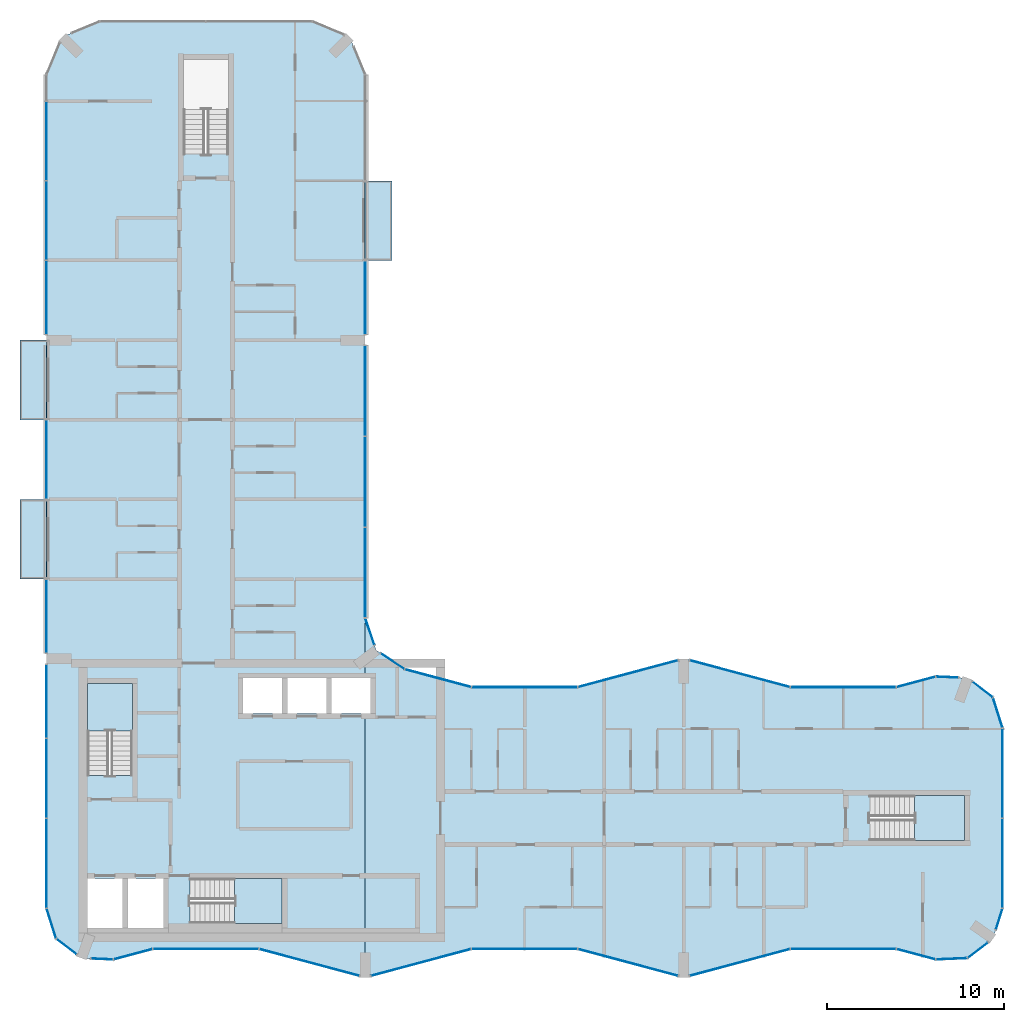
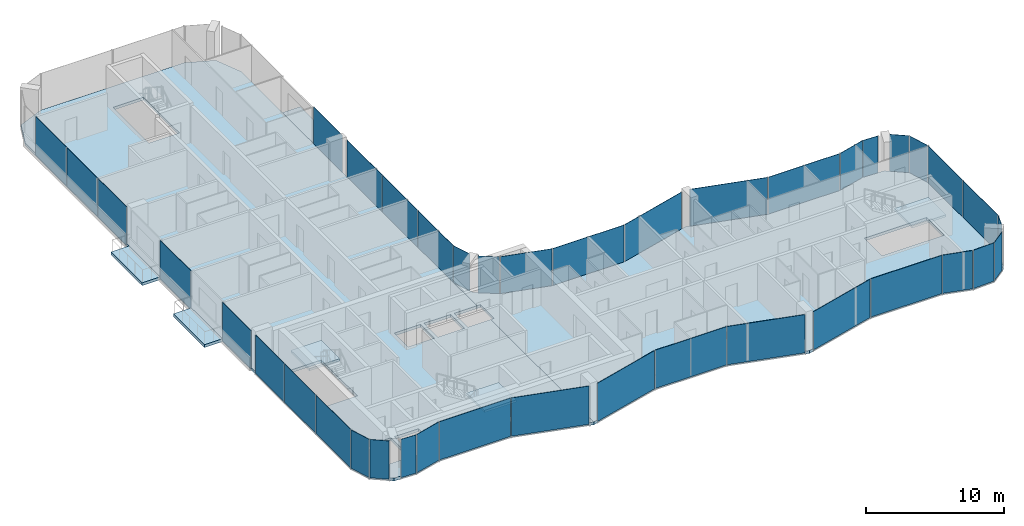
# One storey, part 8 of 16: 40 plates, 8 slabs, 36 elements without a shape of their own.
"""IFC4 building model written with IfcOpenShell, lengths in metres."""

from ifc_helpers import new_model, si_unit, direction, frame, origin, origin_2d, place, context, subcontext, project, spatial, polyline, rectangle, outline, extrude, material, layer, layer_set, type_object, element, aggregate, save


model = new_model("IFC4")

# Units and contexts
model_context = context("Model", 3, precision=1e-05, world=origin(), true_north=direction((0.0, 1.0)))
body_context = subcontext(model_context, "Body", "Model", "MODEL_VIEW")
ifc_project = project(units=[si_unit("LENGTHUNIT", "METRE"), si_unit("AREAUNIT", "SQUARE_METRE"), si_unit("VOLUMEUNIT", "CUBIC_METRE"), si_unit("PLANEANGLEUNIT", "RADIAN"), si_unit("MASSUNIT", "GRAM", prefix="KILO")], contexts=[model_context])

# Site, building, storey
site_placement = place(None, origin())
site = spatial("IfcSite", under=ifc_project, at=site_placement, CompositionType="ELEMENT")
building_placement = place(site_placement, origin())
building = spatial("IfcBuilding", under=site, at=building_placement, Name="Plateau Cross Towers", CompositionType="ELEMENT")
storey_placement = place(building_placement, frame((0.0, 0.0, 215.39990234375)))
storey = spatial("IfcBuildingStorey", under=building, at=storey_placement, Name="L56", CompositionType="ELEMENT", Elevation=215.39990234375)

# Slabs
ifc_material_1 = material(Name="Concrete C40/50", Category="concrete")
ifc_layer_1 = layer(ifc_material_1, 0.25)
ifc_layer_set_1 = layer_set([ifc_layer_1], Name="Concrete C40/50")
slab_type_1 = type_object("IfcSlabType", Name="Balcony slab 250", PredefinedType="FLOOR", material=ifc_layer_set_1)
slab_1_placement = place(storey_placement, frame((0.0, 0.0, -0.25)))
element("IfcSlab", 1, at=slab_1_placement, inside=storey, type_object=slab_type_1, Name="Balcony slab A-BAL-L56-01", PredefinedType="FLOOR", context=body_context, shape_type="SweptSolid", body=[
    extrude(outline(polyline([(0.0, 22.5), (0.0, 27.0), (-1.5, 27.0), (-1.5, 22.5), (0.0, 22.5)])), origin(), (0.0, 0.0, 1.0), 0.25),
])
slab_2_placement = place(storey_placement, frame((0.0, 0.0, -0.25)))
element("IfcSlab", 2, at=slab_2_placement, inside=storey, type_object=slab_type_1, Name="Balcony slab A-BAL-L56-02", PredefinedType="FLOOR", context=body_context, shape_type="SweptSolid", body=[
    extrude(outline(polyline([(0.0, 31.5), (0.0, 36.0), (-1.5, 36.0), (-1.5, 31.5), (0.0, 31.5)])), origin(), (0.0, 0.0, 1.0), 0.25),
])
slab_3_placement = place(storey_placement, frame((0.0, 0.0, -0.25)))
element("IfcSlab", 3, at=slab_3_placement, inside=storey, type_object=slab_type_1, Name="Balcony slab A-BAL-L56-03", PredefinedType="FLOOR", context=body_context, shape_type="SweptSolid", body=[
    extrude(outline(polyline([(19.5, 40.5), (19.5, 45.0), (18.0, 45.0), (18.0, 40.5), (19.5, 40.5)])), origin(), (0.0, 0.0, 1.0), 0.25),
])

# Curtain wall, plate
ifc_material_2 = material(Name="Dark low-iron glass", Category="glass")
ifc_layer_2 = layer(ifc_material_2, 0.239990234375)
ifc_layer_set_2 = layer_set([ifc_layer_2], Name="Dark low-iron glass")
curtain_wall_type_1 = type_object("IfcCurtainWallType", Name="Curtain wall flush unitised CW-B", PredefinedType="NOTDEFINED", material=ifc_layer_set_2)
curtain_wall_1_placement = place(storey_placement, origin())
curtain_wall_1 = element("IfcCurtainWall", 4, at=curtain_wall_1_placement, inside=storey, type_object=curtain_wall_type_1, Name="ENV/A/L56/A502_10", PredefinedType="NOTDEFINED")
ifc_layer_3 = layer(ifc_material_2, 0.031982421875)
ifc_layer_set_3 = layer_set([ifc_layer_3], Name="Dark low-iron glass")
plate_type_1 = type_object("IfcPlateType", Name="Glass panel 32 flush unitised", PredefinedType="CURTAIN_PANEL", material=ifc_layer_set_3)
plate_1_placement = place(storey_placement, frame((51.125, 1.05078125, -0.1298828125), z_axis=(0.0, 0.0, 1.0), x_axis=(0.999043701491, 0.043722791671, 0.0)))
plate_1 = element("IfcPlate", 5, at=plate_1_placement, type_object=plate_type_1, Name="CW-B panel 1", PredefinedType="CURTAIN_PANEL", context=body_context, shape_type="SweptSolid", body=[
    extrude(rectangle(XDim=1.744140625, YDim=0.031982421875, at=origin_2d()), origin(), (0.0, 0.0, 1.0), 3.3798828125),
])
aggregate(curtain_wall_1, [plate_1])

curtain_wall_2_placement = place(storey_placement, origin())
curtain_wall_2 = element("IfcCurtainWall", 6, at=curtain_wall_2_placement, inside=storey, type_object=curtain_wall_type_1, Name="ENV/A/L56/A520_11", PredefinedType="NOTDEFINED")
plate_2_placement = place(storey_placement, frame((52.60986328125, 1.5380859375, -0.1298828125), z_axis=(0.0, 0.0, 1.0), x_axis=(0.793315514529, 0.608810721331, 0.0)))
plate_2 = element("IfcPlate", 7, at=plate_2_placement, type_object=plate_type_1, Name="CW-B panel 1", PredefinedType="CURTAIN_PANEL", context=body_context, shape_type="SweptSolid", body=[
    extrude(rectangle(XDim=1.41162109375, YDim=0.031982421875, at=origin_2d()), origin(), (0.0, 0.0, 1.0), 3.3798828125),
])
aggregate(curtain_wall_2, [plate_2])

curtain_wall_3_placement = place(storey_placement, origin())
curtain_wall_3 = element("IfcCurtainWall", 8, at=curtain_wall_3_placement, inside=storey, type_object=curtain_wall_type_1, Name="ENV/A/L56/A536_27", PredefinedType="NOTDEFINED")
plate_3_placement = place(storey_placement, frame((53.805419921875, 3.292236328125, -0.1298828125), z_axis=(0.0, 0.0, 1.0), x_axis=(0.300686174994, 0.95372313811, 0.0)))
plate_3 = element("IfcPlate", 9, at=plate_3_placement, type_object=plate_type_1, Name="CW-B panel 1", PredefinedType="CURTAIN_PANEL", context=body_context, shape_type="SweptSolid", body=[
    extrude(rectangle(XDim=1.233642578125, YDim=0.031982421875, at=origin_2d()), origin(), (0.0, 0.0, 1.0), 3.3798828125),
])
aggregate(curtain_wall_3, [plate_3])

# Curtain wall, plates
curtain_wall_4_placement = place(storey_placement, origin())
curtain_wall_4 = element("IfcCurtainWall", 10, at=curtain_wall_4_placement, inside=storey, type_object=curtain_wall_type_1, Name="ENV/A/L56/A540_39", PredefinedType="NOTDEFINED")
plate_4_placement = place(storey_placement, frame((54.0, 6.45458984375, -0.1298828125), z_axis=(0.0, 0.0, 1.0), x_axis=(0.0, 1.0, 0.0)))
plate_4 = element("IfcPlate", 11, at=plate_4_placement, type_object=plate_type_1, Name="CW-B panel 1", PredefinedType="CURTAIN_PANEL", context=body_context, shape_type="SweptSolid", body=[
    extrude(rectangle(XDim=5.03076171875, YDim=0.031982421875, at=origin_2d()), origin(), (0.0, 0.0, 1.0), 3.3798828125),
])
plate_5_placement = place(storey_placement, frame((54.0, 11.54541015625, -0.1298828125), z_axis=(0.0, 0.0, 1.0), x_axis=(0.0, 1.0, 0.0)))
plate_5 = element("IfcPlate", 12, at=plate_5_placement, type_object=plate_type_1, Name="CW-B panel 2", PredefinedType="CURTAIN_PANEL", context=body_context, shape_type="SweptSolid", body=[
    extrude(rectangle(XDim=5.03076171875, YDim=0.031982421875, at=origin_2d()), origin(), (0.0, 0.0, 1.0), 3.3798828125),
])
aggregate(curtain_wall_4, [plate_4, plate_5])

# Curtain wall, plate
curtain_wall_5_placement = place(storey_placement, origin())
curtain_wall_5 = element("IfcCurtainWall", 13, at=curtain_wall_5_placement, inside=storey, type_object=curtain_wall_type_1, Name="ENV/A/L56/A540_141", PredefinedType="NOTDEFINED")
plate_6_placement = place(storey_placement, frame((53.728759765625, 14.951171875, -0.1298828125), z_axis=(0.0, 0.0, 1.0), x_axis=(-0.300686174994, 0.95372313811, 0.0)))
plate_6 = element("IfcPlate", 14, at=plate_6_placement, type_object=plate_type_1, Name="CW-B panel 1", PredefinedType="CURTAIN_PANEL", context=body_context, shape_type="SweptSolid", body=[
    extrude(rectangle(XDim=1.744140625, YDim=0.031982421875, at=origin_2d()), origin(), (0.0, 0.0, 1.0), 3.3798828125),
])
aggregate(curtain_wall_5, [plate_6])

curtain_wall_6_placement = place(storey_placement, origin())
curtain_wall_6 = element("IfcCurtainWall", 15, at=curtain_wall_6_placement, inside=storey, type_object=curtain_wall_type_1, Name="ENV/A/L56/A535_158", PredefinedType="NOTDEFINED")
plate_7_placement = place(storey_placement, frame((52.873779296875, 16.25927734375, -0.1298828125), z_axis=(0.0, 0.0, 1.0), x_axis=(-0.793315514529, 0.608810721331, 0.0)))
plate_7 = element("IfcPlate", 16, at=plate_7_placement, type_object=plate_type_1, Name="CW-B panel 1", PredefinedType="CURTAIN_PANEL", context=body_context, shape_type="SweptSolid", body=[
    extrude(rectangle(XDim=1.41162109375, YDim=0.031982421875, at=origin_2d()), origin(), (0.0, 0.0, 1.0), 3.3798828125),
])
aggregate(curtain_wall_6, [plate_7])

curtain_wall_7_placement = place(storey_placement, origin())
curtain_wall_7 = element("IfcCurtainWall", 17, at=curtain_wall_7_placement, inside=storey, type_object=curtain_wall_type_1, Name="ENV/A/L56/A515_169", PredefinedType="NOTDEFINED")
plate_8_placement = place(storey_placement, frame((50.8701171875, 16.96044921875, -0.1298828125), z_axis=(0.0, 0.0, 1.0), x_axis=(-0.999043701491, 0.043722791671, 0.0)))
plate_8 = element("IfcPlate", 18, at=plate_8_placement, type_object=plate_type_1, Name="CW-B panel 1", PredefinedType="CURTAIN_PANEL", context=body_context, shape_type="SweptSolid", body=[
    extrude(rectangle(XDim=1.233642578125, YDim=0.031982421875, at=origin_2d()), origin(), (0.0, 0.0, 1.0), 3.3798828125),
])
aggregate(curtain_wall_7, [plate_8])

curtain_wall_8_placement = place(storey_placement, origin())
curtain_wall_8 = element("IfcCurtainWall", 19, at=curtain_wall_8_placement, inside=storey, type_object=curtain_wall_type_1, Name="ENV/A/L56/A202_174", PredefinedType="NOTDEFINED")
plate_9_placement = place(storey_placement, frame((19.546630859375, 17.856689453125, -0.1298828125), z_axis=(0.0, 0.0, 1.0), x_axis=(-0.831521253329, 0.555492938984, 0.0)))
plate_9 = element("IfcPlate", 20, at=plate_9_placement, type_object=plate_type_1, Name="CW-B panel 1", PredefinedType="CURTAIN_PANEL", context=body_context, shape_type="SweptSolid", body=[
    extrude(rectangle(XDim=1.56884765625, YDim=0.031982421875, at=origin_2d()), origin(), (0.0, 0.0, 1.0), 3.3798828125),
])
aggregate(curtain_wall_8, [plate_9])

curtain_wall_9_placement = place(storey_placement, origin())
curtain_wall_9 = element("IfcCurtainWall", 21, at=curtain_wall_9_placement, inside=storey, type_object=curtain_wall_type_1, Name="ENV/A/L56/A185_188", PredefinedType="NOTDEFINED")
plate_10_placement = place(storey_placement, frame((18.26171875, 19.531005859375, -0.1298828125), z_axis=(0.0, 0.0, 1.0), x_axis=(-0.321469161574, 0.94692004845, 0.0)))
plate_10 = element("IfcPlate", 22, at=plate_10_placement, type_object=plate_type_1, Name="CW-B panel 1", PredefinedType="CURTAIN_PANEL", context=body_context, shape_type="SweptSolid", body=[
    extrude(rectangle(XDim=1.56884765625, YDim=0.031982421875, at=origin_2d()), origin(), (0.0, 0.0, 1.0), 3.3798828125),
])
aggregate(curtain_wall_9, [plate_10])

# Curtain wall, plates
curtain_wall_10_placement = place(storey_placement, origin())
curtain_wall_10 = element("IfcCurtainWall", 23, at=curtain_wall_10_placement, inside=storey, type_object=curtain_wall_type_1, Name="ENV/A/L56/A180_203", PredefinedType="NOTDEFINED")
plate_11_placement = place(storey_placement, frame((18.0, 22.86865234375, -0.1298828125), z_axis=(0.0, 0.0, 1.0), x_axis=(0.0, 1.0, 0.0)))
plate_11 = element("IfcPlate", 24, at=plate_11_placement, type_object=plate_type_1, Name="CW-B panel 1", PredefinedType="CURTAIN_PANEL", context=body_context, shape_type="SweptSolid", body=[
    extrude(rectangle(XDim=5.072509765625, YDim=0.031982421875, at=origin_2d()), origin(), (0.0, 0.0, 1.0), 3.3798828125),
])
plate_12_placement = place(storey_placement, frame((18.0, 28.001220703125, -0.1298828125), z_axis=(0.0, 0.0, 1.0), x_axis=(0.0, 1.0, 0.0)))
plate_12 = element("IfcPlate", 25, at=plate_12_placement, type_object=plate_type_1, Name="CW-B panel 2", PredefinedType="CURTAIN_PANEL", context=body_context, shape_type="SweptSolid", body=[
    extrude(rectangle(XDim=5.072509765625, YDim=0.031982421875, at=origin_2d()), origin(), (0.0, 0.0, 1.0), 3.3798828125),
])
plate_13_placement = place(storey_placement, frame((18.0, 33.1337890625, -0.1298828125), z_axis=(0.0, 0.0, 1.0), x_axis=(0.0, 1.0, 0.0)))
plate_13 = element("IfcPlate", 26, at=plate_13_placement, type_object=plate_type_1, Name="CW-B panel 3", PredefinedType="CURTAIN_PANEL", context=body_context, shape_type="SweptSolid", body=[
    extrude(rectangle(XDim=5.072509765625, YDim=0.031982421875, at=origin_2d()), origin(), (0.0, 0.0, 1.0), 3.3798828125),
])
aggregate(curtain_wall_10, [plate_11, plate_12, plate_13])

# Curtain wall, plate
curtain_wall_11_placement = place(storey_placement, origin())
curtain_wall_11 = element("IfcCurtainWall", 27, at=curtain_wall_11_placement, inside=storey, type_object=curtain_wall_type_1, Name="ENV/A/L56/A180_363", PredefinedType="NOTDEFINED")
plate_14_placement = place(storey_placement, frame((18.0, 38.39501953125, -0.1298828125), z_axis=(0.0, 0.0, 1.0), x_axis=(0.0, 1.0, 0.0)))
plate_14 = element("IfcPlate", 28, at=plate_14_placement, type_object=plate_type_1, Name="CW-B panel 1", PredefinedType="CURTAIN_PANEL", context=body_context, shape_type="SweptSolid", body=[
    extrude(rectangle(XDim=4.1298828125, YDim=0.031982421875, at=origin_2d()), origin(), (0.0, 0.0, 1.0), 3.3798828125),
])
aggregate(curtain_wall_11, [plate_14])

# Curtain wall, plates
curtain_wall_12_placement = place(storey_placement, origin())
curtain_wall_12 = element("IfcCurtainWall", 29, at=curtain_wall_12_placement, inside=storey, type_object=curtain_wall_type_1, Name="ENV/A/L56/A0_510", PredefinedType="NOTDEFINED")
plate_15_placement = place(storey_placement, frame((0.0, 47.25, -0.1298828125), z_axis=(0.0, 0.0, 1.0), x_axis=(0.0, -1.0, 0.0)))
plate_15 = element("IfcPlate", 30, at=plate_15_placement, type_object=plate_type_1, Name="CW-B panel 2", PredefinedType="CURTAIN_PANEL", context=body_context, shape_type="SweptSolid", body=[
    extrude(rectangle(XDim=4.43994140625, YDim=0.031982421875, at=origin_2d()), origin(), (0.0, 0.0, 1.0), 3.3798828125),
])
plate_16_placement = place(storey_placement, frame((0.0, 42.75, -0.1298828125), z_axis=(0.0, 0.0, 1.0), x_axis=(0.0, -1.0, 0.0)))
plate_16 = element("IfcPlate", 31, at=plate_16_placement, type_object=plate_type_1, Name="CW-B panel 3", PredefinedType="CURTAIN_PANEL", context=body_context, shape_type="SweptSolid", body=[
    extrude(rectangle(XDim=4.43994140625, YDim=0.031982421875, at=origin_2d()), origin(), (0.0, 0.0, 1.0), 3.3798828125),
])
plate_17_placement = place(storey_placement, frame((0.0, 38.39990234375, -0.1298828125), z_axis=(0.0, 0.0, 1.0), x_axis=(0.0, -1.0, 0.0)))
plate_17 = element("IfcPlate", 32, at=plate_17_placement, type_object=plate_type_1, Name="CW-B panel 4", PredefinedType="CURTAIN_PANEL", context=body_context, shape_type="SweptSolid", body=[
    extrude(rectangle(XDim=4.139892578125, YDim=0.031982421875, at=origin_2d()), origin(), (0.0, 0.0, 1.0), 3.3798828125),
])
aggregate(curtain_wall_12, [plate_15, plate_16, plate_17])

# Curtain wall, plate
curtain_wall_13_placement = place(storey_placement, origin())
curtain_wall_13 = element("IfcCurtainWall", 33, at=curtain_wall_13_placement, inside=storey, type_object=curtain_wall_type_1, Name="ENV/A/L56/A0_315", PredefinedType="NOTDEFINED")
plate_18_placement = place(storey_placement, frame((0.0, 29.25, -0.1298828125), z_axis=(0.0, 0.0, 1.0), x_axis=(0.0, -1.0, 0.0)))
plate_18 = element("IfcPlate", 34, at=plate_18_placement, type_object=plate_type_1, Name="CW-B panel 1", PredefinedType="CURTAIN_PANEL", context=body_context, shape_type="SweptSolid", body=[
    extrude(rectangle(XDim=4.419921875, YDim=0.031982421875, at=origin_2d()), origin(), (0.0, 0.0, 1.0), 3.3798828125),
])
aggregate(curtain_wall_13, [plate_18])

curtain_wall_14_placement = place(storey_placement, origin())
curtain_wall_14 = element("IfcCurtainWall", 35, at=curtain_wall_14_placement, inside=storey, type_object=curtain_wall_type_1, Name="ENV/A/L56/A0_225", PredefinedType="NOTDEFINED")
plate_19_placement = place(storey_placement, frame((0.0, 20.39501953125, -0.1298828125), z_axis=(0.0, 0.0, 1.0), x_axis=(0.0, -1.0, 0.0)))
plate_19 = element("IfcPlate", 36, at=plate_19_placement, type_object=plate_type_1, Name="CW-B panel 1", PredefinedType="CURTAIN_PANEL", context=body_context, shape_type="SweptSolid", body=[
    extrude(rectangle(XDim=4.1298828125, YDim=0.031982421875, at=origin_2d()), origin(), (0.0, 0.0, 1.0), 3.3798828125),
])
aggregate(curtain_wall_14, [plate_19])

# Curtain wall, plates
curtain_wall_15_placement = place(storey_placement, origin())
curtain_wall_15 = element("IfcCurtainWall", 37, at=curtain_wall_15_placement, inside=storey, type_object=curtain_wall_type_1, Name="ENV/A/L56/A0_177", PredefinedType="NOTDEFINED")
plate_20_placement = place(storey_placement, frame((0.0, 15.60009765625, -0.1298828125), z_axis=(0.0, 0.0, 1.0), x_axis=(0.0, -1.0, 0.0)))
plate_20 = element("IfcPlate", 38, at=plate_20_placement, type_object=plate_type_1, Name="CW-B panel 1", PredefinedType="CURTAIN_PANEL", context=body_context, shape_type="SweptSolid", body=[
    extrude(rectangle(XDim=4.139892578125, YDim=0.031982421875, at=origin_2d()), origin(), (0.0, 0.0, 1.0), 3.3798828125),
])
plate_21_placement = place(storey_placement, frame((0.0, 11.25, -0.1298828125), z_axis=(0.0, 0.0, 1.0), x_axis=(0.0, -1.0, 0.0)))
plate_21 = element("IfcPlate", 39, at=plate_21_placement, type_object=plate_type_1, Name="CW-B panel 2", PredefinedType="CURTAIN_PANEL", context=body_context, shape_type="SweptSolid", body=[
    extrude(rectangle(XDim=4.43994140625, YDim=0.031982421875, at=origin_2d()), origin(), (0.0, 0.0, 1.0), 3.3798828125),
])
plate_22_placement = place(storey_placement, frame((0.0, 6.45458984375, -0.1298828125), z_axis=(0.0, 0.0, 1.0), x_axis=(0.0, -1.0, 0.0)))
plate_22 = element("IfcPlate", 40, at=plate_22_placement, type_object=plate_type_1, Name="CW-B panel 3", PredefinedType="CURTAIN_PANEL", context=body_context, shape_type="SweptSolid", body=[
    extrude(rectangle(XDim=5.03076171875, YDim=0.031982421875, at=origin_2d()), origin(), (0.0, 0.0, 1.0), 3.3798828125),
])
aggregate(curtain_wall_15, [plate_20, plate_21, plate_22])

# Curtain wall, plate
curtain_wall_16_placement = place(storey_placement, origin())
curtain_wall_16 = element("IfcCurtainWall", 41, at=curtain_wall_16_placement, inside=storey, type_object=curtain_wall_type_1, Name="ENV/A/L56/A0_39", PredefinedType="NOTDEFINED")
plate_23_placement = place(storey_placement, frame((0.271240234375, 3.048828125, -0.1298828125), z_axis=(0.0, 0.0, 1.0), x_axis=(0.300686174994, -0.95372313811, 0.0)))
plate_23 = element("IfcPlate", 42, at=plate_23_placement, type_object=plate_type_1, Name="CW-B panel 1", PredefinedType="CURTAIN_PANEL", context=body_context, shape_type="SweptSolid", body=[
    extrude(rectangle(XDim=1.744140625, YDim=0.031982421875, at=origin_2d()), origin(), (0.0, 0.0, 1.0), 3.3798828125),
])
aggregate(curtain_wall_16, [plate_23])

curtain_wall_17_placement = place(storey_placement, origin())
curtain_wall_17 = element("IfcCurtainWall", 43, at=curtain_wall_17_placement, inside=storey, type_object=curtain_wall_type_1, Name="ENV/A/L56/A5_22", PredefinedType="NOTDEFINED")
plate_24_placement = place(storey_placement, frame((1.126220703125, 1.74072265625, -0.1298828125), z_axis=(0.0, 0.0, 1.0), x_axis=(0.793315514529, -0.608810721331, 0.0)))
plate_24 = element("IfcPlate", 44, at=plate_24_placement, type_object=plate_type_1, Name="CW-B panel 1", PredefinedType="CURTAIN_PANEL", context=body_context, shape_type="SweptSolid", body=[
    extrude(rectangle(XDim=1.41162109375, YDim=0.031982421875, at=origin_2d()), origin(), (0.0, 0.0, 1.0), 3.3798828125),
])
aggregate(curtain_wall_17, [plate_24])

curtain_wall_18_placement = place(storey_placement, origin())
curtain_wall_18 = element("IfcCurtainWall", 45, at=curtain_wall_18_placement, inside=storey, type_object=curtain_wall_type_1, Name="ENV/A/L56/A25_11", PredefinedType="NOTDEFINED")
plate_25_placement = place(storey_placement, frame((3.1298828125, 1.03955078125, -0.1298828125), z_axis=(0.0, 0.0, 1.0), x_axis=(0.999043701491, -0.043722791671, 0.0)))
plate_25 = element("IfcPlate", 46, at=plate_25_placement, type_object=plate_type_1, Name="CW-B panel 1", PredefinedType="CURTAIN_PANEL", context=body_context, shape_type="SweptSolid", body=[
    extrude(rectangle(XDim=1.233642578125, YDim=0.031982421875, at=origin_2d()), origin(), (0.0, 0.0, 1.0), 3.3798828125),
])
aggregate(curtain_wall_18, [plate_25])

ifc_layer_4 = layer(ifc_material_2, 0.260009765625)
ifc_layer_set_4 = layer_set([ifc_layer_4], Name="Dark low-iron glass")
curtain_wall_type_2 = type_object("IfcCurtainWallType", Name="Curtain wall fluted unitised CW-A", PredefinedType="NOTDEFINED", material=ifc_layer_set_4)
curtain_wall_19_placement = place(storey_placement, origin())
curtain_wall_19 = element("IfcCurtainWall", 47, at=curtain_wall_19_placement, inside=storey, type_object=curtain_wall_type_2, Name="ENV/A/L56/A38_10", PredefinedType="NOTDEFINED")
ifc_layer_5 = layer(ifc_material_2, 0.035888671875)
ifc_layer_set_5 = layer_set([ifc_layer_5], Name="Dark low-iron glass")
plate_type_2 = type_object("IfcPlateType", Name="Glass panel 36 fluted unitised", PredefinedType="CURTAIN_PANEL", material=ifc_layer_set_5)
plate_26_placement = place(storey_placement, frame((4.887939453125, 1.30908203125, -0.1298828125), z_axis=(0.0, 0.0, 1.0), x_axis=(0.965957962328, 0.258699081978, 0.0)))
plate_26 = element("IfcPlate", 48, at=plate_26_placement, type_object=plate_type_2, Name="CW-A panel 1", PredefinedType="CURTAIN_PANEL", context=body_context, shape_type="SweptSolid", body=[
    extrude(rectangle(XDim=2.2421875, YDim=0.035888671875, at=origin_2d()), origin(), (0.0, 0.0, 1.0), 3.3798828125),
])
aggregate(curtain_wall_19, [plate_26])

curtain_wall_20_placement = place(storey_placement, origin())
curtain_wall_20 = element("IfcCurtainWall", 49, at=curtain_wall_20_placement, inside=storey, type_object=curtain_wall_type_2, Name="ENV/A/L56/A60_16", PredefinedType="NOTDEFINED")
plate_27_placement = place(storey_placement, frame((9.0, 1.60693359375, -0.1298828125), z_axis=(0.0, 0.0, 1.0), x_axis=(1.0, 0.0, 0.0)))
plate_27 = element("IfcPlate", 50, at=plate_27_placement, type_object=plate_type_2, Name="CW-A panel 1", PredefinedType="CURTAIN_PANEL", context=body_context, shape_type="SweptSolid", body=[
    extrude(rectangle(XDim=5.93994140625, YDim=0.035888671875, at=origin_2d()), origin(), (0.0, 0.0, 1.0), 3.3798828125),
])
aggregate(curtain_wall_20, [plate_27])

curtain_wall_21_placement = place(storey_placement, origin())
curtain_wall_21 = element("IfcCurtainWall", 51, at=curtain_wall_21_placement, inside=storey, type_object=curtain_wall_type_2, Name="ENV/A/L56/A120_16", PredefinedType="NOTDEFINED")
plate_28_placement = place(storey_placement, frame((14.841064453125, 0.845947265625, -0.1298828125), z_axis=(0.0, 0.0, 1.0), x_axis=(0.965957983404, -0.258699003279, 0.0)))
plate_28 = element("IfcPlate", 52, at=plate_28_placement, type_object=plate_type_2, Name="CW-A panel 1", PredefinedType="CURTAIN_PANEL", context=body_context, shape_type="SweptSolid", body=[
    extrude(rectangle(XDim=5.822265625, YDim=0.035888671875, at=origin_2d()), origin(), (0.0, 0.0, 1.0), 3.3798828125),
])
aggregate(curtain_wall_21, [plate_28])

curtain_wall_22_placement = place(storey_placement, origin())
curtain_wall_22 = element("IfcCurtainWall", 53, at=curtain_wall_22_placement, inside=storey, type_object=curtain_wall_type_2, Name="ENV/A/L56/A183_1", PredefinedType="NOTDEFINED")
plate_29_placement = place(storey_placement, frame((21.158935546875, 0.845947265625, -0.1298828125), z_axis=(0.0, 0.0, 1.0), x_axis=(0.965957983404, 0.258699003279, 0.0)))
plate_29 = element("IfcPlate", 54, at=plate_29_placement, type_object=plate_type_2, Name="CW-A panel 1", PredefinedType="CURTAIN_PANEL", context=body_context, shape_type="SweptSolid", body=[
    extrude(rectangle(XDim=5.822265625, YDim=0.035888671875, at=origin_2d()), origin(), (0.0, 0.0, 1.0), 3.3798828125),
])
aggregate(curtain_wall_22, [plate_29])

curtain_wall_23_placement = place(storey_placement, origin())
curtain_wall_23 = element("IfcCurtainWall", 55, at=curtain_wall_23_placement, inside=storey, type_object=curtain_wall_type_2, Name="ENV/A/L56/A240_16", PredefinedType="NOTDEFINED")
plate_30_placement = place(storey_placement, frame((27.0, 1.60693359375, -0.1298828125), z_axis=(0.0, 0.0, 1.0), x_axis=(1.0, 0.0, 0.0)))
plate_30 = element("IfcPlate", 56, at=plate_30_placement, type_object=plate_type_2, Name="CW-A panel 1", PredefinedType="CURTAIN_PANEL", context=body_context, shape_type="SweptSolid", body=[
    extrude(rectangle(XDim=5.93994140625, YDim=0.035888671875, at=origin_2d()), origin(), (0.0, 0.0, 1.0), 3.3798828125),
])
aggregate(curtain_wall_23, [plate_30])

curtain_wall_24_placement = place(storey_placement, origin())
curtain_wall_24 = element("IfcCurtainWall", 57, at=curtain_wall_24_placement, inside=storey, type_object=curtain_wall_type_2, Name="ENV/A/L56/A300_16", PredefinedType="NOTDEFINED")
plate_31_placement = place(storey_placement, frame((32.841064453125, 0.845947265625, -0.1298828125), z_axis=(0.0, 0.0, 1.0), x_axis=(0.965957983404, -0.258699003279, 0.0)))
plate_31 = element("IfcPlate", 58, at=plate_31_placement, type_object=plate_type_2, Name="CW-A panel 1", PredefinedType="CURTAIN_PANEL", context=body_context, shape_type="SweptSolid", body=[
    extrude(rectangle(XDim=5.822265625, YDim=0.035888671875, at=origin_2d()), origin(), (0.0, 0.0, 1.0), 3.3798828125),
])
aggregate(curtain_wall_24, [plate_31])

curtain_wall_25_placement = place(storey_placement, origin())
curtain_wall_25 = element("IfcCurtainWall", 59, at=curtain_wall_25_placement, inside=storey, type_object=curtain_wall_type_2, Name="ENV/A/L56/A363_1", PredefinedType="NOTDEFINED")
plate_32_placement = place(storey_placement, frame((39.158935546875, 0.845947265625, -0.1298828125), z_axis=(0.0, 0.0, 1.0), x_axis=(0.965957983404, 0.258699003279, 0.0)))
plate_32 = element("IfcPlate", 60, at=plate_32_placement, type_object=plate_type_2, Name="CW-A panel 1", PredefinedType="CURTAIN_PANEL", context=body_context, shape_type="SweptSolid", body=[
    extrude(rectangle(XDim=5.822265625, YDim=0.035888671875, at=origin_2d()), origin(), (0.0, 0.0, 1.0), 3.3798828125),
])
aggregate(curtain_wall_25, [plate_32])

curtain_wall_26_placement = place(storey_placement, origin())
curtain_wall_26 = element("IfcCurtainWall", 61, at=curtain_wall_26_placement, inside=storey, type_object=curtain_wall_type_2, Name="ENV/A/L56/A420_16", PredefinedType="NOTDEFINED")
plate_33_placement = place(storey_placement, frame((45.0, 1.60693359375, -0.1298828125), z_axis=(0.0, 0.0, 1.0), x_axis=(1.0, 0.0, 0.0)))
plate_33 = element("IfcPlate", 62, at=plate_33_placement, type_object=plate_type_2, Name="CW-A panel 1", PredefinedType="CURTAIN_PANEL", context=body_context, shape_type="SweptSolid", body=[
    extrude(rectangle(XDim=5.93994140625, YDim=0.035888671875, at=origin_2d()), origin(), (0.0, 0.0, 1.0), 3.3798828125),
])
aggregate(curtain_wall_26, [plate_33])

curtain_wall_27_placement = place(storey_placement, origin())
curtain_wall_27 = element("IfcCurtainWall", 63, at=curtain_wall_27_placement, inside=storey, type_object=curtain_wall_type_2, Name="ENV/A/L56/A480_16", PredefinedType="NOTDEFINED")
plate_34_placement = place(storey_placement, frame((49.112060546875, 1.30908203125, -0.1298828125), z_axis=(0.0, 0.0, 1.0), x_axis=(0.965957962328, -0.258699081978, 0.0)))
plate_34 = element("IfcPlate", 64, at=plate_34_placement, type_object=plate_type_2, Name="CW-A panel 1", PredefinedType="CURTAIN_PANEL", context=body_context, shape_type="SweptSolid", body=[
    extrude(rectangle(XDim=2.2421875, YDim=0.035888671875, at=origin_2d()), origin(), (0.0, 0.0, 1.0), 3.3798828125),
])
aggregate(curtain_wall_27, [plate_34])

curtain_wall_28_placement = place(storey_placement, origin())
curtain_wall_28 = element("IfcCurtainWall", 65, at=curtain_wall_28_placement, inside=storey, type_object=curtain_wall_type_2, Name="ENV/A/L56/A502_170", PredefinedType="NOTDEFINED")
plate_35_placement = place(storey_placement, frame((49.112060546875, 16.69091796875, -0.1298828125), z_axis=(0.0, 0.0, 1.0), x_axis=(-0.965957962328, -0.258699081978, 0.0)))
plate_35 = element("IfcPlate", 66, at=plate_35_placement, type_object=plate_type_2, Name="CW-A panel 1", PredefinedType="CURTAIN_PANEL", context=body_context, shape_type="SweptSolid", body=[
    extrude(rectangle(XDim=2.2421875, YDim=0.035888671875, at=origin_2d()), origin(), (0.0, 0.0, 1.0), 3.3798828125),
])
aggregate(curtain_wall_28, [plate_35])

curtain_wall_29_placement = place(storey_placement, origin())
curtain_wall_29 = element("IfcCurtainWall", 67, at=curtain_wall_29_placement, inside=storey, type_object=curtain_wall_type_2, Name="ENV/A/L56/A480_164", PredefinedType="NOTDEFINED")
plate_36_placement = place(storey_placement, frame((45.0, 16.39306640625, -0.1298828125), z_axis=(0.0, 0.0, 1.0), x_axis=(-1.0, 0.0, 0.0)))
plate_36 = element("IfcPlate", 68, at=plate_36_placement, type_object=plate_type_2, Name="CW-A panel 1", PredefinedType="CURTAIN_PANEL", context=body_context, shape_type="SweptSolid", body=[
    extrude(rectangle(XDim=5.93994140625, YDim=0.035888671875, at=origin_2d()), origin(), (0.0, 0.0, 1.0), 3.3798828125),
])
aggregate(curtain_wall_29, [plate_36])

curtain_wall_30_placement = place(storey_placement, origin())
curtain_wall_30 = element("IfcCurtainWall", 69, at=curtain_wall_30_placement, inside=storey, type_object=curtain_wall_type_2, Name="ENV/A/L56/A420_164", PredefinedType="NOTDEFINED")
plate_37_placement = place(storey_placement, frame((39.158935546875, 17.154052734375, -0.1298828125), z_axis=(0.0, 0.0, 1.0), x_axis=(-0.965957983404, 0.258699003279, 0.0)))
plate_37 = element("IfcPlate", 70, at=plate_37_placement, type_object=plate_type_2, Name="CW-A panel 1", PredefinedType="CURTAIN_PANEL", context=body_context, shape_type="SweptSolid", body=[
    extrude(rectangle(XDim=5.822265625, YDim=0.035888671875, at=origin_2d()), origin(), (0.0, 0.0, 1.0), 3.3798828125),
])
aggregate(curtain_wall_30, [plate_37])

curtain_wall_31_placement = place(storey_placement, origin())
curtain_wall_31 = element("IfcCurtainWall", 71, at=curtain_wall_31_placement, inside=storey, type_object=curtain_wall_type_2, Name="ENV/A/L56/A357_179", PredefinedType="NOTDEFINED")
plate_38_placement = place(storey_placement, frame((32.841064453125, 17.154052734375, -0.1298828125), z_axis=(0.0, 0.0, 1.0), x_axis=(-0.965957983404, -0.258699003279, 0.0)))
plate_38 = element("IfcPlate", 72, at=plate_38_placement, type_object=plate_type_2, Name="CW-A panel 1", PredefinedType="CURTAIN_PANEL", context=body_context, shape_type="SweptSolid", body=[
    extrude(rectangle(XDim=5.822265625, YDim=0.035888671875, at=origin_2d()), origin(), (0.0, 0.0, 1.0), 3.3798828125),
])
aggregate(curtain_wall_31, [plate_38])

curtain_wall_32_placement = place(storey_placement, origin())
curtain_wall_32 = element("IfcCurtainWall", 73, at=curtain_wall_32_placement, inside=storey, type_object=curtain_wall_type_2, Name="ENV/A/L56/A300_164", PredefinedType="NOTDEFINED")
plate_39_placement = place(storey_placement, frame((27.0, 16.39306640625, -0.1298828125), z_axis=(0.0, 0.0, 1.0), x_axis=(-1.0, 0.0, 0.0)))
plate_39 = element("IfcPlate", 74, at=plate_39_placement, type_object=plate_type_2, Name="CW-A panel 1", PredefinedType="CURTAIN_PANEL", context=body_context, shape_type="SweptSolid", body=[
    extrude(rectangle(XDim=5.93994140625, YDim=0.035888671875, at=origin_2d()), origin(), (0.0, 0.0, 1.0), 3.3798828125),
])
aggregate(curtain_wall_32, [plate_39])

curtain_wall_33_placement = place(storey_placement, origin())
curtain_wall_33 = element("IfcCurtainWall", 75, at=curtain_wall_33_placement, inside=storey, type_object=curtain_wall_type_2, Name="ENV/A/L56/A240_164", PredefinedType="NOTDEFINED")
plate_40_placement = place(storey_placement, frame((22.112060546875, 16.898681640625, -0.1298828125), z_axis=(0.0, 0.0, 1.0), x_axis=(-0.965957995816, 0.258698956933, 0.0)))
plate_40 = element("IfcPlate", 76, at=plate_40_placement, type_object=plate_type_2, Name="CW-A panel 1", PredefinedType="CURTAIN_PANEL", context=body_context, shape_type="SweptSolid", body=[
    extrude(rectangle(XDim=3.84912109375, YDim=0.035888671875, at=origin_2d()), origin(), (0.0, 0.0, 1.0), 3.3798828125),
])
aggregate(curtain_wall_33, [plate_40])

# Slabs
ifc_layer_6 = layer(ifc_material_1, 0.25)
ifc_layer_set_6 = layer_set([ifc_layer_6], Name="Concrete C40/50")
slab_type_2 = type_object("IfcSlabType", Name="Post-tensioned flat plate slab 250", PredefinedType="FLOOR", material=ifc_layer_set_6)
slab_4_placement = place(storey_placement, frame((0.0, 0.0, -0.25)))
element("IfcSlab", 77, at=slab_4_placement, inside=storey, type_object=slab_type_2, Name="SL-A-L56 1", PredefinedType="FLOOR", context=body_context, shape_type="SweptSolid", body=[
    extrude(outline(polyline([(0.54248046875, 2.1884765625), (0.0, 3.9091796875), (0.0, 51.0), (0.878662109375, 53.121337890625), (3.0, 54.0), (15.0, 54.0), (17.121337890625, 53.121337890625), (18.0, 51.0), (18.0, 20.30224609375), (18.0, 16.89990234375), (16.10009765625, 16.89990234375), (16.10009765625, 14.89990234375), (18.0, 14.89990234375), (18.0, 0.0), (12.0, 1.60693359375), (6.0, 1.60693359375), (3.776123046875, 1.01123046875), (1.9736328125, 1.090087890625), (0.54248046875, 2.1884765625)]), holes=[polyline([(2.300048828125, 5.60009765625), (2.300048828125, 2.800048828125), (4.300048828125, 2.800048828125), (4.300048828125, 5.60009765625), (2.300048828125, 5.60009765625)]), polyline([(4.60009765625, 5.60009765625), (4.60009765625, 2.800048828125), (6.60009765625, 2.800048828125), (6.60009765625, 5.60009765625), (4.60009765625, 5.60009765625)]), polyline([(8.10009765625, 5.60009765625), (8.10009765625, 3.050048828125), (13.300048828125, 3.050048828125), (13.300048828125, 5.60009765625), (8.10009765625, 5.60009765625)]), polyline([(2.300048828125, 11.39990234375), (4.85009765625, 11.39990234375), (4.85009765625, 16.60009765625), (2.300048828125, 16.60009765625), (2.300048828125, 11.39990234375)]), polyline([(11.10009765625, 16.89990234375), (11.10009765625, 14.89990234375), (13.300048828125, 14.89990234375), (13.300048828125, 16.89990234375), (11.10009765625, 16.89990234375)]), polyline([(13.60009765625, 16.89990234375), (13.60009765625, 14.89990234375), (15.800048828125, 14.89990234375), (15.800048828125, 16.89990234375), (13.60009765625, 16.89990234375)]), polyline([(7.72509765625, 51.699951171875), (7.72509765625, 46.5), (10.27490234375, 46.5), (10.27490234375, 51.699951171875), (7.72509765625, 51.699951171875)])]), origin(), (0.0, 0.0, 1.0), 0.25),
])
slab_5_placement = place(storey_placement, frame((0.0, 0.0, -0.25)))
element("IfcSlab", 78, at=slab_5_placement, inside=storey, type_object=slab_type_2, Name="SL-A-L56 2", PredefinedType="FLOOR", context=body_context, shape_type="SweptSolid", body=[
    extrude(outline(polyline([(18.6201171875, 18.475830078125), (20.223876953125, 17.404296875), (24.0, 16.39306640625), (30.0, 16.39306640625), (36.0, 18.0), (42.0, 16.39306640625), (48.0, 16.39306640625), (50.223876953125, 16.98876953125), (52.0263671875, 16.909912109375), (53.45751953125, 15.8115234375), (54.0, 14.0908203125), (54.0, 3.9091796875), (53.45751953125, 2.1884765625), (52.0263671875, 1.090087890625), (50.223876953125, 1.01123046875), (48.0, 1.60693359375), (42.0, 1.60693359375), (36.0, 0.0), (30.0, 1.60693359375), (24.0, 1.60693359375), (18.0, 0.0), (18.0, 14.89990234375), (18.300048828125, 14.89990234375), (18.300048828125, 16.89990234375), (18.0, 16.89990234375), (18.0, 20.30224609375), (18.6201171875, 18.475830078125)]), holes=[polyline([(46.5, 10.27490234375), (46.5, 7.72509765625), (51.699951171875, 7.72509765625), (51.699951171875, 10.27490234375), (46.5, 10.27490234375)])]), origin(), (0.0, 0.0, 1.0), 0.25),
])

# Stair, slab
stair_type = type_object("IfcStairType", Name="ST-TWR", PredefinedType="HALF_TURN_STAIR", material=ifc_material_1)
stair_1_placement = place(storey_placement, origin())
stair_1 = element("IfcStair", 79, at=stair_1_placement, inside=storey, type_object=stair_type, Name="L56 Protected Exit Stair ST-1", PredefinedType="HALF_TURN_STAIR")
ifc_layer_7 = layer(ifc_material_1, 0.199951171875)
ifc_layer_set_7 = layer_set([ifc_layer_7], Name="Concrete C40/50")
slab_type_3 = type_object("IfcSlabType", Name="SL-LANDING", PredefinedType="LANDING", material=ifc_layer_set_7)
slab_6_placement = place(storey_placement, frame((0.0, 0.0, 1.550048828125)))
slab_6 = element("IfcSlab", 80, at=slab_6_placement, type_object=slab_type_3, Name="ST-1 landing 1", PredefinedType="LANDING", context=body_context, shape_type="SweptSolid", body=[
    extrude(outline(polyline([(4.85009765625, 13.919921875), (4.85009765625, 16.60009765625), (2.300048828125, 16.60009765625), (2.300048828125, 13.919921875), (4.85009765625, 13.919921875)])), origin(), (0.0, 0.0, 1.0), 0.199951171875),
])
aggregate(stair_1, [slab_6])

stair_2_placement = place(storey_placement, origin())
stair_2 = element("IfcStair", 81, at=stair_2_placement, inside=storey, type_object=stair_type, Name="L56 Protected Exit Stair ST-2", PredefinedType="HALF_TURN_STAIR")
slab_7_placement = place(storey_placement, frame((0.0, 0.0, 1.550048828125)))
slab_7 = element("IfcSlab", 82, at=slab_7_placement, type_object=slab_type_3, Name="ST-2 landing 1", PredefinedType="LANDING", context=body_context, shape_type="SweptSolid", body=[
    extrude(outline(polyline([(10.6201171875, 3.050048828125), (13.300048828125, 3.050048828125), (13.300048828125, 5.60009765625), (10.6201171875, 5.60009765625), (10.6201171875, 3.050048828125)])), origin(), (0.0, 0.0, 1.0), 0.199951171875),
])
aggregate(stair_2, [slab_7])

stair_3_placement = place(storey_placement, origin())
stair_3 = element("IfcStair", 83, at=stair_3_placement, inside=storey, type_object=stair_type, Name="L56 Protected Exit Stair E", PredefinedType="HALF_TURN_STAIR")
slab_8_placement = place(storey_placement, frame((0.0, 0.0, 1.550048828125)))
slab_8 = element("IfcSlab", 84, at=slab_8_placement, type_object=slab_type_3, Name="ES-E landing 1", PredefinedType="LANDING", context=body_context, shape_type="SweptSolid", body=[
    extrude(outline(polyline([(49.02001953125, 7.72509765625), (51.85009765625, 7.72509765625), (51.85009765625, 10.27490234375), (49.02001953125, 10.27490234375), (49.02001953125, 7.72509765625)])), origin(), (0.0, 0.0, 1.0), 0.199951171875),
])
aggregate(stair_3, [slab_8])

save(model, "model.ifc")
